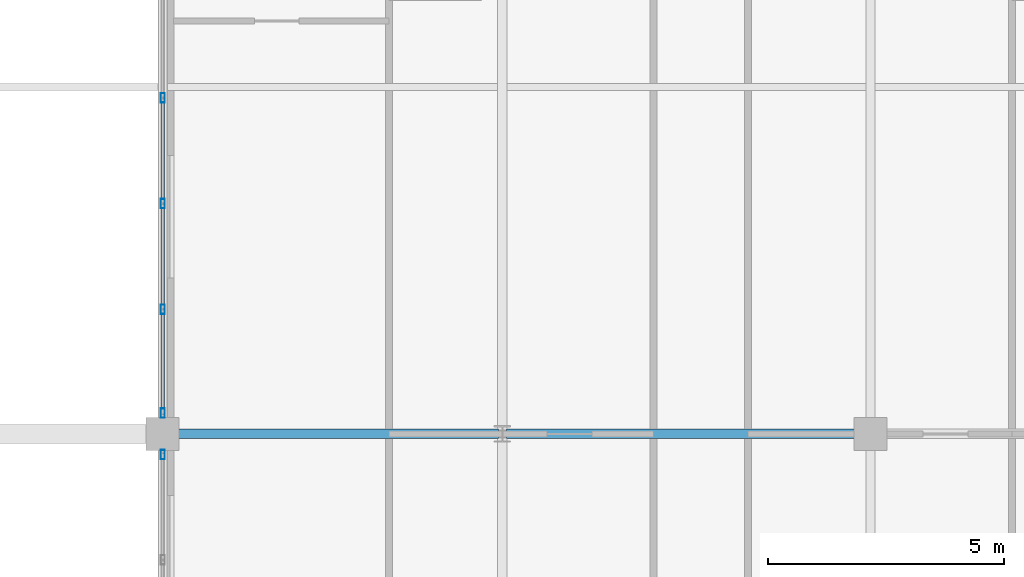
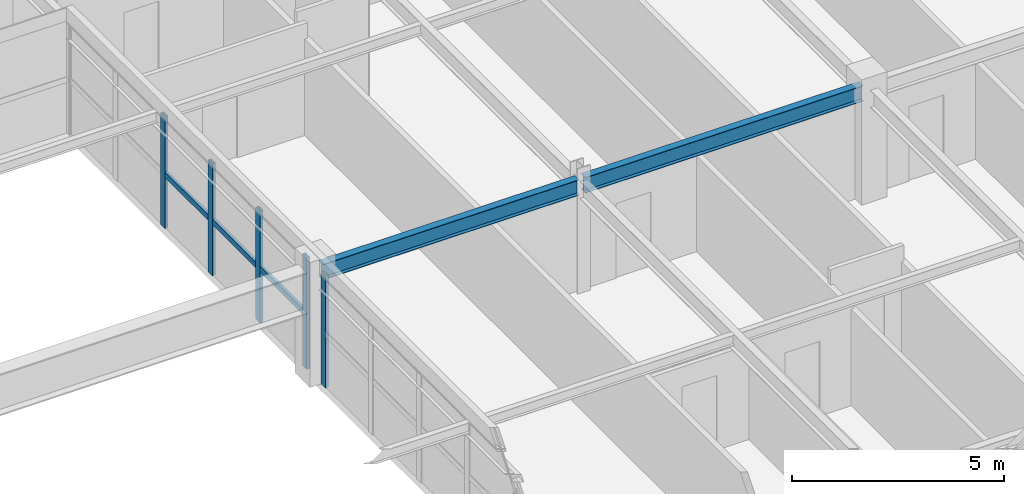
# One storey, part 16 of 37: 8 members, 2 beams, 2 elements without a shape of their own.
"""IFC4 building model written with IfcOpenShell, lengths in metres."""

from ifc_helpers import new_model, si_unit, direction, frame, origin, origin_2d, place, context, subcontext, project, spatial, hollow_rectangle, i_section, extrude, source, transform, mapped, material, material_profile, profile_set, type_object, element, aggregate, save


model = new_model("IFC4")

# Units and contexts
model_context = context("Model", 3, precision=1e-05, world=origin(), true_north=direction((0.0, 1.0)))
body_context = subcontext(model_context, "Body", "Model", "MODEL_VIEW")
ifc_project = project(units=[si_unit("LENGTHUNIT", "METRE"), si_unit("AREAUNIT", "SQUARE_METRE"), si_unit("VOLUMEUNIT", "CUBIC_METRE"), si_unit("PLANEANGLEUNIT", "RADIAN"), si_unit("MASSUNIT", "GRAM", prefix="KILO")], contexts=[model_context])

# Site, building, storey
site_placement = place(None, origin())
site = spatial("IfcSite", under=ifc_project, at=site_placement, CompositionType="ELEMENT")
building_placement = place(site_placement, origin())
building = spatial("IfcBuilding", under=site, at=building_placement, Name="Trelvane Seafront Commons", CompositionType="ELEMENT")
storey_placement = place(building_placement, frame((0.0, 0.0, 201.300048828125)))
storey = spatial("IfcBuildingStorey", under=building, at=storey_placement, Name="L52", CompositionType="ELEMENT", Elevation=201.300048828125)

# Beams
ifc_material_1 = material(Name="Steel SM355 (S355)", Category="steel")
ifc_material_profile_1 = material_profile(ifc_material_1, i_section(OverallWidth=0.199951171875, OverallDepth=0.449951171875, WebThickness=0.009033203125, FlangeThickness=0.013916015625, at=origin_2d()), Name="H-450x200x9x14")
ifc_profile_set_1 = profile_set([ifc_material_profile_1], Name="Steel SM355 (S355)")
beam_type = type_object("IfcBeamType", Name="STR-SPD-H450", PredefinedType="SPANDREL", material=ifc_profile_set_1)
shared_shape_1 = source(origin(), body_context, "Body", "SweptSolid", [
    extrude(i_section(OverallWidth=0.199951171875, OverallDepth=0.449951171875, WebThickness=0.009033203125, FlangeThickness=0.013916015625, at=origin_2d()), origin(), (0.0, 0.0, 1.0), 7.5625),
])
beam_1_placement = place(storey_placement, frame((51.08740234375, 18.199951171875, 2.994873046875), z_axis=(1.0, 0.0, 0.0), x_axis=(0.0, 1.0, 0.0)))
element("IfcBeam", 1, at=beam_1_placement, inside=storey, type_object=beam_type, Name="L52 Primary Girder G-13", PredefinedType="SPANDREL", context=body_context, shape_type="MappedRepresentation", body=[
    mapped(shared_shape_1, transform((0.0, 0.0, 0.0), x_axis=(1.0, 0.0, 0.0), y_axis=(0.0, 1.0, 0.0), z_axis=(0.0, 0.0, 1.0), scale=1.0)),
])
shared_shape_2 = source(origin(), body_context, "Body", "SweptSolid", [
    extrude(i_section(OverallWidth=0.199951171875, OverallDepth=0.449951171875, WebThickness=0.009033203125, FlangeThickness=0.013916015625, at=origin_2d()), origin(), (0.0, 0.0, 1.0), 6.962646484375),
])
beam_2_placement = place(storey_placement, frame((43.949951171875, 18.199951171875, 2.994873046875), z_axis=(1.0, 0.0, 0.0), x_axis=(0.0, 1.0, 0.0)))
element("IfcBeam", 2, at=beam_2_placement, inside=storey, type_object=beam_type, Name="L52 Primary Girder G-12", PredefinedType="SPANDREL", context=body_context, shape_type="MappedRepresentation", body=[
    mapped(shared_shape_2, transform((0.0, 0.0, 0.0), x_axis=(1.0, 0.0, 0.0), y_axis=(0.0, 1.0, 0.0), z_axis=(0.0, 0.0, 1.0), scale=1.0)),
])

# Curtain wall, members
ifc_material_2 = material(Name="Anodised pale-silver aluminium", Category="aluminium")
curtain_wall_type = type_object("IfcCurtainWallType", Name="ARCH-CW3-PORTAL", PredefinedType="NOTDEFINED", material=ifc_material_2)
curtain_wall_1_placement = place(storey_placement, origin())
curtain_wall_1 = element("IfcCurtainWall", 3, at=curtain_wall_1_placement, inside=storey, type_object=curtain_wall_type, Name="CW-L52-VP-0094", PredefinedType="NOTDEFINED")
ifc_material_profile_2 = material_profile(ifc_material_2, hollow_rectangle(XDim=0.090087890625, YDim=0.199951171875, WallThickness=0.0048828125, at=origin_2d()), Name="MULL-90x200x5")
ifc_profile_set_2 = profile_set([ifc_material_profile_2], Name="Anodised pale-silver aluminium")
member_type_1 = type_object("IfcMemberType", Name="ARCH-CW-MULL-200", PredefinedType="MULLION", material=ifc_profile_set_2)
shared_shape_3 = source(origin(), body_context, "Body", "SweptSolid", [
    extrude(hollow_rectangle(XDim=0.090087890625, YDim=0.199951171875, WallThickness=0.0048828125, at=origin_2d()), origin(), (0.0, 0.0, 1.0), 3.219970703125),
])
member_1_placement = place(storey_placement, frame((43.800048828125, 25.320068359375, 0.0), z_axis=(0.0, 0.0, 1.0), x_axis=(1.0, 0.0, 0.0)))
member_1 = element("IfcMember", 4, at=member_1_placement, type_object=member_type_1, Name="CW-L52-VP-0094-M02", PredefinedType="MULLION", context=body_context, shape_type="MappedRepresentation", body=[
    mapped(shared_shape_3, transform((0.0, 0.0, 0.0), x_axis=(1.0, 0.0, 0.0), y_axis=(0.0, 1.0, 0.0), z_axis=(0.0, 0.0, 1.0), scale=1.0)),
])
member_2_placement = place(storey_placement, frame((43.800048828125, 23.080078125, 0.0), z_axis=(0.0, 0.0, 1.0), x_axis=(1.0, 0.0, 0.0)))
member_2 = element("IfcMember", 5, at=member_2_placement, type_object=member_type_1, Name="CW-L52-VP-0094-M03", PredefinedType="MULLION", context=body_context, shape_type="MappedRepresentation", body=[
    mapped(shared_shape_3, transform((0.0, 0.0, 0.0), x_axis=(1.0, 0.0, 0.0), y_axis=(0.0, 1.0, 0.0), z_axis=(0.0, 0.0, 1.0), scale=1.0)),
])
member_3_placement = place(storey_placement, frame((43.800048828125, 20.840087890625, 0.0), z_axis=(0.0, 0.0, 1.0), x_axis=(1.0, 0.0, 0.0)))
member_3 = element("IfcMember", 6, at=member_3_placement, type_object=member_type_1, Name="CW-L52-VP-0094-M04", PredefinedType="MULLION", context=body_context, shape_type="MappedRepresentation", body=[
    mapped(shared_shape_3, transform((0.0, 0.0, 0.0), x_axis=(1.0, 0.0, 0.0), y_axis=(0.0, 1.0, 0.0), z_axis=(0.0, 0.0, 1.0), scale=1.0)),
])
member_4_placement = place(storey_placement, frame((43.800048828125, 18.639892578125, 0.0), z_axis=(0.0, 0.0, 1.0), x_axis=(1.0, 0.0, 0.0)))
member_4 = element("IfcMember", 7, at=member_4_placement, type_object=member_type_1, Name="CW-L52-VP-0094-M05", PredefinedType="MULLION", context=body_context, shape_type="MappedRepresentation", body=[
    mapped(shared_shape_3, transform((0.0, 0.0, 0.0), x_axis=(1.0, 0.0, 0.0), y_axis=(0.0, 1.0, 0.0), z_axis=(0.0, 0.0, 1.0), scale=1.0)),
])

# Curtain wall, member
curtain_wall_2_placement = place(storey_placement, origin())
curtain_wall_2 = element("IfcCurtainWall", 8, at=curtain_wall_2_placement, inside=storey, type_object=curtain_wall_type, Name="CW-L52-VP-0095", PredefinedType="NOTDEFINED")
member_5_placement = place(storey_placement, frame((43.800048828125, 17.760009765625, 0.0), z_axis=(0.0, 0.0, 1.0), x_axis=(1.0, 0.0, 0.0)))
member_5 = element("IfcMember", 9, at=member_5_placement, type_object=member_type_1, Name="CW-L52-VP-0095-M00", PredefinedType="MULLION", context=body_context, shape_type="MappedRepresentation", body=[
    mapped(shared_shape_3, transform((0.0, 0.0, 0.0), x_axis=(1.0, 0.0, 0.0), y_axis=(0.0, 1.0, 0.0), z_axis=(0.0, 0.0, 1.0), scale=1.0)),
])
aggregate(curtain_wall_2, [member_5])

# Member
ifc_material_profile_3 = material_profile(ifc_material_2, hollow_rectangle(XDim=0.080078125, YDim=0.159912109375, WallThickness=0.00439453125, at=origin_2d()), Name="TRAN-80x160x4.5")
ifc_profile_set_3 = profile_set([ifc_material_profile_3], Name="Anodised pale-silver aluminium")
member_type_2 = type_object("IfcMemberType", Name="ARCH-CW-TRAN-160", PredefinedType="USERDEFINED", material=ifc_profile_set_3)
shared_shape_4 = source(origin(), body_context, "Body", "SweptSolid", [
    extrude(hollow_rectangle(XDim=0.080078125, YDim=0.159912109375, WallThickness=0.00439453125, at=origin_2d()), origin(), (0.0, 0.0, 1.0), 2.2158203125),
])
member_6_placement = place(storey_placement, frame((43.800048828125, 20.827880859375, 1.5458984375), z_axis=(0.0, -1.0, 0.0), x_axis=(1.0, 0.0, 0.0)))
member_6 = element("IfcMember", 10, at=member_6_placement, type_object=member_type_2, Name="CW-L52-VP-0094-T04", ObjectType="TRANSOM", PredefinedType="USERDEFINED", context=body_context, shape_type="MappedRepresentation", body=[
    mapped(shared_shape_4, transform((0.0, 0.0, 0.0), x_axis=(1.0, 0.0, 0.0), y_axis=(0.0, 1.0, 0.0), z_axis=(0.0, 0.0, 1.0), scale=1.0)),
])

shared_shape_5 = source(origin(), body_context, "Body", "SweptSolid", [
    extrude(hollow_rectangle(XDim=0.080078125, YDim=0.159912109375, WallThickness=0.00439453125, at=origin_2d()), origin(), (0.0, 0.0, 1.0), 2.216064453125),
])
member_7_placement = place(storey_placement, frame((43.800048828125, 25.30810546875, 1.5458984375), z_axis=(0.0, -1.0, 0.0), x_axis=(1.0, 0.0, 0.0)))
member_7 = element("IfcMember", 11, at=member_7_placement, type_object=member_type_2, Name="CW-L52-VP-0094-T02", ObjectType="TRANSOM", PredefinedType="USERDEFINED", context=body_context, shape_type="MappedRepresentation", body=[
    mapped(shared_shape_5, transform((0.0, 0.0, 0.0), x_axis=(1.0, 0.0, 0.0), y_axis=(0.0, 1.0, 0.0), z_axis=(0.0, 0.0, 1.0), scale=1.0)),
])

member_8_placement = place(storey_placement, frame((43.800048828125, 23.068115234375, 1.5458984375), z_axis=(0.0, -1.0, 0.0), x_axis=(1.0, 0.0, 0.0)))
member_8 = element("IfcMember", 12, at=member_8_placement, type_object=member_type_2, Name="CW-L52-VP-0094-T03", ObjectType="TRANSOM", PredefinedType="USERDEFINED", context=body_context, shape_type="MappedRepresentation", body=[
    mapped(shared_shape_5, transform((0.0, 0.0, 0.0), x_axis=(1.0, 0.0, 0.0), y_axis=(0.0, 1.0, 0.0), z_axis=(0.0, 0.0, 1.0), scale=1.0)),
])

aggregate(curtain_wall_1, [member_1, member_2, member_3, member_4, member_7, member_8, member_6])

save(model, "model.ifc")
